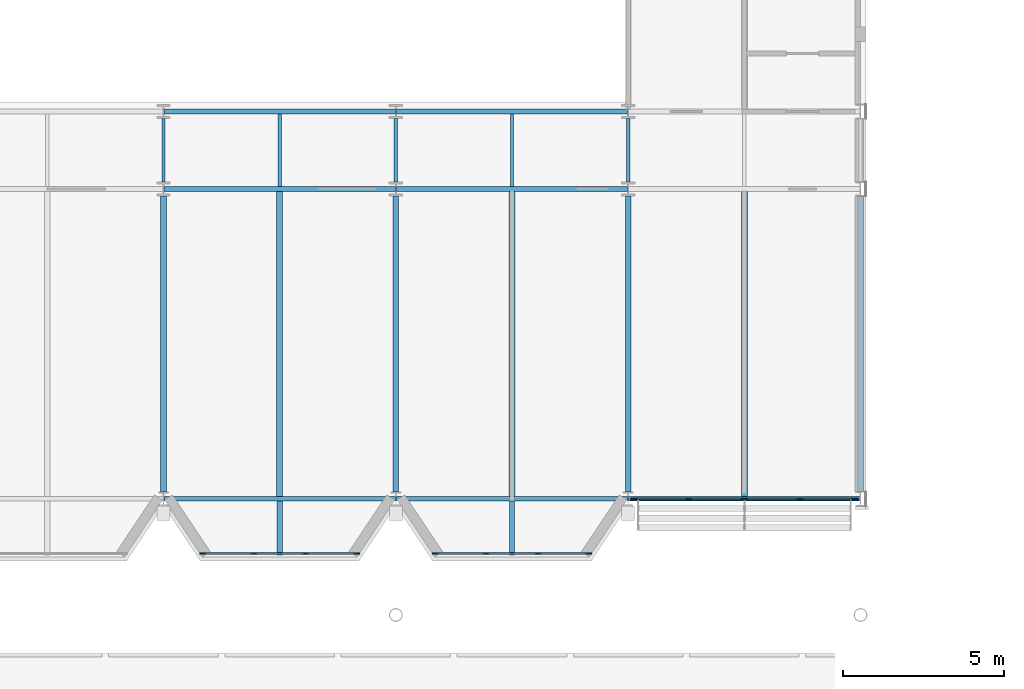
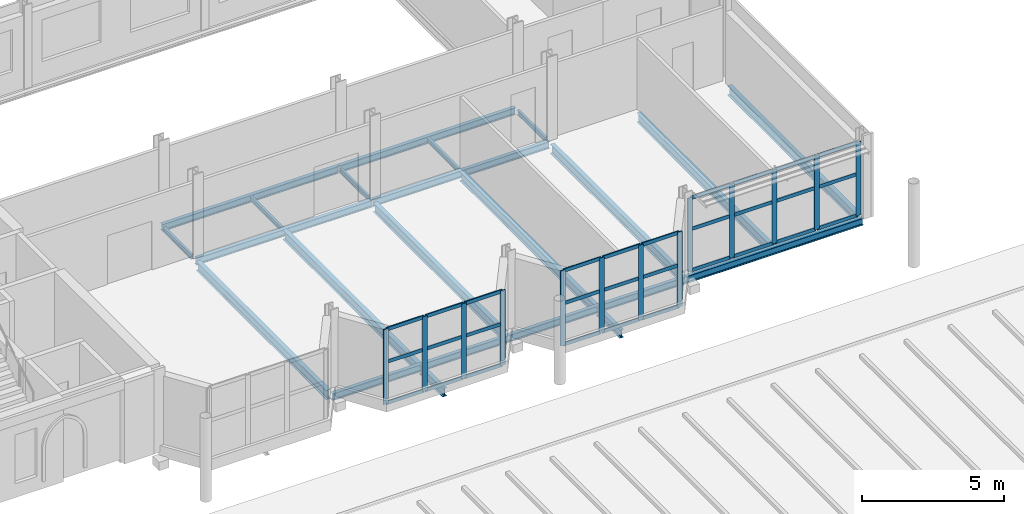
# One storey, part 38 of 120: 43 members, 21 beams, 3 elements without a shape of their own.
"""IFC4 building model written with IfcOpenShell, lengths in metres."""

from ifc_helpers import new_model, si_unit, direction, frame, origin, origin_2d, place, context, subcontext, project, spatial, rectangle, i_section, extrude, material, material_profile, profile_set, type_object, element, aggregate, save


model = new_model("IFC4")

# Units and contexts
model_context = context("Model", 3, precision=1e-05, world=origin(), true_north=direction((0.0, 1.0)))
body_context = subcontext(model_context, "Body", "Model", "MODEL_VIEW")
ifc_project = project(units=[si_unit("LENGTHUNIT", "METRE"), si_unit("AREAUNIT", "SQUARE_METRE"), si_unit("VOLUMEUNIT", "CUBIC_METRE"), si_unit("PLANEANGLEUNIT", "RADIAN"), si_unit("MASSUNIT", "GRAM", prefix="KILO")], contexts=[model_context])

# Site, building, storey
site_placement = place(None, origin())
site = spatial("IfcSite", under=ifc_project, at=site_placement, CompositionType="ELEMENT")
building_placement = place(site_placement, origin())
building = spatial("IfcBuilding", under=site, at=building_placement, Name="Kupolbacken Congress Centre", CompositionType="ELEMENT")
storey_placement = place(building_placement, frame((0.0, 0.0, 21.60009765625)))
storey = spatial("IfcBuildingStorey", under=building, at=storey_placement, Name="L06", CompositionType="ELEMENT", Elevation=21.60009765625)

# Beams
ifc_material_1 = material(Name="Steel S355", Category="steel")
ifc_material_profile_1 = material_profile(ifc_material_1, i_section(OverallWidth=0.10009765625, OverallDepth=0.199951171875, WebThickness=0.005615234375, FlangeThickness=0.008544921875, FilletRadius=0.011962890625, at=origin_2d()), Name="IPE 200")
ifc_profile_set_1 = profile_set([ifc_material_profile_1], Name="Steel S355")
beam_type_1 = type_object("IfcBeamType", Name="B01 beam IPE 200", PredefinedType="BEAM", material=ifc_profile_set_1)
beam_1_placement = place(storey_placement, frame((115.199951171875, 132.21240234375, -0.239990234375), z_axis=(0.0, 1.0, 0.0), x_axis=(-1.0, 0.0, 0.0)))
element("IfcBeam", 1, at=beam_1_placement, inside=storey, type_object=beam_type_1, Name="S/floor/T/L06/S060", PredefinedType="BEAM", context=body_context, shape_type="SweptSolid", body=[
    extrude(i_section(OverallWidth=0.10009765625, OverallDepth=0.199951171875, WebThickness=0.005615234375, FlangeThickness=0.008544921875, FilletRadius=0.011962890625, at=origin_2d()), origin(), (0.0, 0.0, 1.0), 1.97509765625),
])
beam_2_placement = place(storey_placement, frame((118.800048828125, 132.074951171875, -0.239990234375), z_axis=(0.0, 1.0, 0.0), x_axis=(-1.0, 0.0, 0.0)))
element("IfcBeam", 2, at=beam_2_placement, inside=storey, type_object=beam_type_1, Name="S/floor/T/L06/S062", PredefinedType="BEAM", context=body_context, shape_type="SweptSolid", body=[
    extrude(i_section(OverallWidth=0.10009765625, OverallDepth=0.199951171875, WebThickness=0.005615234375, FlangeThickness=0.008544921875, FilletRadius=0.011962890625, at=origin_2d()), origin(), (0.0, 0.0, 1.0), 2.25),
])
beam_3_placement = place(storey_placement, frame((122.39990234375, 132.21240234375, -0.239990234375), z_axis=(0.0, 1.0, 0.0), x_axis=(-1.0, 0.0, 0.0)))
element("IfcBeam", 3, at=beam_3_placement, inside=storey, type_object=beam_type_1, Name="S/floor/T/L06/S064", PredefinedType="BEAM", context=body_context, shape_type="SweptSolid", body=[
    extrude(i_section(OverallWidth=0.10009765625, OverallDepth=0.199951171875, WebThickness=0.005615234375, FlangeThickness=0.008544921875, FilletRadius=0.011962890625, at=origin_2d()), origin(), (0.0, 0.0, 1.0), 1.97509765625),
])
beam_4_placement = place(storey_placement, frame((126.0, 132.074951171875, -0.239990234375), z_axis=(0.0, 1.0, 0.0), x_axis=(-1.0, 0.0, 0.0)))
element("IfcBeam", 4, at=beam_4_placement, inside=storey, type_object=beam_type_1, Name="S/floor/T/L06/S066", PredefinedType="BEAM", context=body_context, shape_type="SweptSolid", body=[
    extrude(i_section(OverallWidth=0.10009765625, OverallDepth=0.199951171875, WebThickness=0.005615234375, FlangeThickness=0.008544921875, FilletRadius=0.011962890625, at=origin_2d()), origin(), (0.0, 0.0, 1.0), 2.25),
])
beam_5_placement = place(storey_placement, frame((129.60009765625, 132.21240234375, -0.239990234375), z_axis=(0.0, 1.0, 0.0), x_axis=(-1.0, 0.0, 0.0)))
element("IfcBeam", 5, at=beam_5_placement, inside=storey, type_object=beam_type_1, Name="S/floor/T/L06/S068", PredefinedType="BEAM", context=body_context, shape_type="SweptSolid", body=[
    extrude(i_section(OverallWidth=0.10009765625, OverallDepth=0.199951171875, WebThickness=0.005615234375, FlangeThickness=0.008544921875, FilletRadius=0.011962890625, at=origin_2d()), origin(), (0.0, 0.0, 1.0), 1.97509765625),
])
ifc_material_2 = material(Name="Steel S355", Category="steel")
ifc_material_profile_2 = material_profile(ifc_material_2, i_section(OverallWidth=0.14990234375, OverallDepth=0.300048828125, WebThickness=0.007080078125, FlangeThickness=0.0107421875, FilletRadius=0.014892578125, at=origin_2d()), Name="IPE 300")
ifc_profile_set_2 = profile_set([ifc_material_profile_2], Name="Steel S355")
beam_type_2 = type_object("IfcBeamType", Name="B04 beam IPE 300", PredefinedType="BEAM", material=ifc_profile_set_2)
beam_6_placement = place(storey_placement, frame((115.21044921875, 122.39990234375, -0.2900390625), z_axis=(1.0, 0.0, 0.0), x_axis=(0.0, 1.0, 0.0)))
element("IfcBeam", 6, at=beam_6_placement, inside=storey, type_object=beam_type_2, Name="S/floor/T/L06/R006", PredefinedType="BEAM", context=body_context, shape_type="SweptSolid", body=[
    extrude(i_section(OverallWidth=0.14990234375, OverallDepth=0.300048828125, WebThickness=0.007080078125, FlangeThickness=0.0107421875, FilletRadius=0.014892578125, at=origin_2d()), origin(), (0.0, 0.0, 1.0), 7.178955078125),
])
beam_7_placement = place(storey_placement, frame((122.410400390625, 122.39990234375, -0.2900390625), z_axis=(1.0, 0.0, 0.0), x_axis=(0.0, 1.0, 0.0)))
element("IfcBeam", 7, at=beam_7_placement, inside=storey, type_object=beam_type_2, Name="S/floor/T/L06/R007", PredefinedType="BEAM", context=body_context, shape_type="SweptSolid", body=[
    extrude(i_section(OverallWidth=0.14990234375, OverallDepth=0.300048828125, WebThickness=0.007080078125, FlangeThickness=0.0107421875, FilletRadius=0.014892578125, at=origin_2d()), origin(), (0.0, 0.0, 1.0), 7.17919921875),
])
beam_8_placement = place(storey_placement, frame((129.610595703125, 122.39990234375, -0.2900390625), z_axis=(1.0, 0.0, 0.0), x_axis=(0.0, 1.0, 0.0)))
element("IfcBeam", 8, at=beam_8_placement, inside=storey, type_object=beam_type_2, Name="S/floor/T/L06/R008", PredefinedType="BEAM", context=body_context, shape_type="SweptSolid", body=[
    extrude(i_section(OverallWidth=0.14990234375, OverallDepth=0.300048828125, WebThickness=0.007080078125, FlangeThickness=0.0107421875, FilletRadius=0.014892578125, at=origin_2d()), origin(), (0.0, 0.0, 1.0), 7.182373046875),
])
beam_9_placement = place(storey_placement, frame((115.21630859375, 132.0, -0.2900390625), z_axis=(1.0, 0.0, 0.0), x_axis=(0.0, 1.0, 0.0)))
element("IfcBeam", 9, at=beam_9_placement, inside=storey, type_object=beam_type_2, Name="S/floor/T/L06/R014", PredefinedType="BEAM", context=body_context, shape_type="SweptSolid", body=[
    extrude(i_section(OverallWidth=0.14990234375, OverallDepth=0.300048828125, WebThickness=0.007080078125, FlangeThickness=0.0107421875, FilletRadius=0.014892578125, at=origin_2d()), origin(), (0.0, 0.0, 1.0), 7.167236328125),
])
beam_10_placement = place(storey_placement, frame((122.41650390625, 132.0, -0.2900390625), z_axis=(1.0, 0.0, 0.0), x_axis=(0.0, 1.0, 0.0)))
element("IfcBeam", 10, at=beam_10_placement, inside=storey, type_object=beam_type_2, Name="S/floor/T/L06/R015", PredefinedType="BEAM", context=body_context, shape_type="SweptSolid", body=[
    extrude(i_section(OverallWidth=0.14990234375, OverallDepth=0.300048828125, WebThickness=0.007080078125, FlangeThickness=0.0107421875, FilletRadius=0.014892578125, at=origin_2d()), origin(), (0.0, 0.0, 1.0), 7.1669921875),
])
beam_11_placement = place(storey_placement, frame((115.21630859375, 134.39990234375, -0.2900390625), z_axis=(1.0, 0.0, 0.0), x_axis=(0.0, 1.0, 0.0)))
element("IfcBeam", 11, at=beam_11_placement, inside=storey, type_object=beam_type_2, Name="S/floor/T/L06/R022", PredefinedType="BEAM", context=body_context, shape_type="SweptSolid", body=[
    extrude(i_section(OverallWidth=0.14990234375, OverallDepth=0.300048828125, WebThickness=0.007080078125, FlangeThickness=0.0107421875, FilletRadius=0.014892578125, at=origin_2d()), origin(), (0.0, 0.0, 1.0), 7.167236328125),
])
beam_12_placement = place(storey_placement, frame((122.41650390625, 134.39990234375, -0.2900390625), z_axis=(1.0, 0.0, 0.0), x_axis=(0.0, 1.0, 0.0)))
element("IfcBeam", 12, at=beam_12_placement, inside=storey, type_object=beam_type_2, Name="S/floor/T/L06/R023", PredefinedType="BEAM", context=body_context, shape_type="SweptSolid", body=[
    extrude(i_section(OverallWidth=0.14990234375, OverallDepth=0.300048828125, WebThickness=0.007080078125, FlangeThickness=0.0107421875, FilletRadius=0.014892578125, at=origin_2d()), origin(), (0.0, 0.0, 1.0), 7.1669921875),
])
ifc_material_3 = material(Name="Steel S355", Category="steel")
ifc_material_profile_3 = material_profile(ifc_material_3, i_section(OverallWidth=0.169921875, OverallDepth=0.360107421875, WebThickness=0.008056640625, FlangeThickness=0.0126953125, FilletRadius=0.01806640625, at=origin_2d()), Name="IPE 360")
ifc_profile_set_3 = profile_set([ifc_material_profile_3], Name="Steel S355")
beam_type_3 = type_object("IfcBeamType", Name="B06 beam IPE 360", PredefinedType="BEAM", material=ifc_profile_set_3)
for number, where, z_axis, x_axis, name in (
    (13, (118.800048828125, 122.324951171875, -0.320068359375), (0.0, -1.0, 0.0), (1.0, 0.0, 0.0), "S/floor/T/L06/C086"),
    (14, (126.0, 122.324951171875, -0.320068359375), (0.0, -1.0, 0.0), (1.0, 0.0, 0.0), "S/floor/T/L06/C088"),
):
    element("IfcBeam", number, at=place(storey_placement, frame(where, z_axis=z_axis, x_axis=x_axis)), inside=storey, type_object=beam_type_3, Name=name, PredefinedType="BEAM", context=body_context, shape_type="SweptSolid", body=[
        extrude(i_section(OverallWidth=0.169921875, OverallDepth=0.360107421875, WebThickness=0.008056640625, FlangeThickness=0.0126953125, FilletRadius=0.01806640625, at=origin_2d()), origin(), (0.0, 0.0, 1.0), 1.6650390625),
    ])
ifc_material_4 = material(Name="Steel S355", Category="steel")
ifc_material_profile_4 = material_profile(ifc_material_4, i_section(OverallWidth=0.179931640625, OverallDepth=0.39990234375, WebThickness=0.008544921875, FlangeThickness=0.013427734375, FilletRadius=0.02099609375, at=origin_2d()), Name="IPE 400")
ifc_profile_set_4 = profile_set([ifc_material_profile_4], Name="Steel S355")
beam_type_4 = type_object("IfcBeamType", Name="B07 beam IPE 400", PredefinedType="BEAM", material=ifc_profile_set_4)
beam_13_placement = place(storey_placement, frame((115.199951171875, 122.615966796875, -0.340087890625), z_axis=(0.0, 1.0, 0.0), x_axis=(-1.0, 0.0, 0.0)))
element("IfcBeam", 15, at=beam_13_placement, inside=storey, type_object=beam_type_4, Name="S/floor/T/L06/S059", PredefinedType="BEAM", context=body_context, shape_type="SweptSolid", body=[
    extrude(i_section(OverallWidth=0.179931640625, OverallDepth=0.39990234375, WebThickness=0.008544921875, FlangeThickness=0.013427734375, FilletRadius=0.02099609375, at=origin_2d()), origin(), (0.0, 0.0, 1.0), 9.171630859375),
])
beam_14_placement = place(storey_placement, frame((118.800048828125, 122.47509765625, -0.340087890625), z_axis=(0.0, 1.0, 0.0), x_axis=(-1.0, 0.0, 0.0)))
element("IfcBeam", 16, at=beam_14_placement, inside=storey, type_object=beam_type_4, Name="S/floor/T/L06/S061", PredefinedType="BEAM", context=body_context, shape_type="SweptSolid", body=[
    extrude(i_section(OverallWidth=0.179931640625, OverallDepth=0.39990234375, WebThickness=0.008544921875, FlangeThickness=0.013427734375, FilletRadius=0.02099609375, at=origin_2d()), origin(), (0.0, 0.0, 1.0), 9.449951171875),
])
beam_15_placement = place(storey_placement, frame((122.39990234375, 122.615966796875, -0.340087890625), z_axis=(0.0, 1.0, 0.0), x_axis=(-1.0, 0.0, 0.0)))
element("IfcBeam", 17, at=beam_15_placement, inside=storey, type_object=beam_type_4, Name="S/floor/T/L06/S063", PredefinedType="BEAM", context=body_context, shape_type="SweptSolid", body=[
    extrude(i_section(OverallWidth=0.179931640625, OverallDepth=0.39990234375, WebThickness=0.008544921875, FlangeThickness=0.013427734375, FilletRadius=0.02099609375, at=origin_2d()), origin(), (0.0, 0.0, 1.0), 9.171630859375),
])
beam_16_placement = place(storey_placement, frame((126.0, 122.47509765625, -0.340087890625), z_axis=(0.0, 1.0, 0.0), x_axis=(-1.0, 0.0, 0.0)))
element("IfcBeam", 18, at=beam_16_placement, inside=storey, type_object=beam_type_4, Name="S/floor/T/L06/S065", PredefinedType="BEAM", context=body_context, shape_type="SweptSolid", body=[
    extrude(i_section(OverallWidth=0.179931640625, OverallDepth=0.39990234375, WebThickness=0.008544921875, FlangeThickness=0.013427734375, FilletRadius=0.02099609375, at=origin_2d()), origin(), (0.0, 0.0, 1.0), 9.449951171875),
])
beam_17_placement = place(storey_placement, frame((129.60009765625, 122.615966796875, -0.340087890625), z_axis=(0.0, 1.0, 0.0), x_axis=(-1.0, 0.0, 0.0)))
element("IfcBeam", 19, at=beam_17_placement, inside=storey, type_object=beam_type_4, Name="S/floor/T/L06/S067", PredefinedType="BEAM", context=body_context, shape_type="SweptSolid", body=[
    extrude(i_section(OverallWidth=0.179931640625, OverallDepth=0.39990234375, WebThickness=0.008544921875, FlangeThickness=0.013427734375, FilletRadius=0.02099609375, at=origin_2d()), origin(), (0.0, 0.0, 1.0), 9.171630859375),
])
beam_18_placement = place(storey_placement, frame((133.199951171875, 122.47509765625, -0.340087890625), z_axis=(0.0, 1.0, 0.0), x_axis=(-1.0, 0.0, 0.0)))
element("IfcBeam", 20, at=beam_18_placement, inside=storey, type_object=beam_type_4, Name="S/floor/T/L06/S070", PredefinedType="BEAM", context=body_context, shape_type="SweptSolid", body=[
    extrude(i_section(OverallWidth=0.179931640625, OverallDepth=0.39990234375, WebThickness=0.008544921875, FlangeThickness=0.013427734375, FilletRadius=0.02099609375, at=origin_2d()), origin(), (0.0, 0.0, 1.0), 9.449951171875),
])
beam_19_placement = place(storey_placement, frame((136.800048828125, 122.625, -0.340087890625), z_axis=(0.0, 1.0, 0.0), x_axis=(-1.0, 0.0, 0.0)))
element("IfcBeam", 21, at=beam_19_placement, inside=storey, type_object=beam_type_4, Name="S/floor/T/L06/S073", PredefinedType="BEAM", context=body_context, shape_type="SweptSolid", body=[
    extrude(i_section(OverallWidth=0.179931640625, OverallDepth=0.39990234375, WebThickness=0.008544921875, FlangeThickness=0.013427734375, FilletRadius=0.02099609375, at=origin_2d()), origin(), (0.0, 0.0, 1.0), 9.14990234375),
])

# Curtain wall, members
ifc_material_5 = material(Name="Aluminium mullion-transom frame with glass", Category="aluminium")
curtain_wall_type = type_object("IfcCurtainWallType", Name="CW1 curtain wall 7200x3600", PredefinedType="NOTDEFINED", material=ifc_material_5)
curtain_wall_1_placement = place(storey_placement, origin())
curtain_wall_1 = element("IfcCurtainWall", 22, at=curtain_wall_1_placement, inside=storey, type_object=curtain_wall_type, Name="E/T/S/L06/095/g0", PredefinedType="NOTDEFINED")
ifc_material_6 = material(Name="Aluminium alloy", Category="aluminium")
ifc_material_profile_5 = material_profile(ifc_material_6, rectangle(XDim=0.050048828125, YDim=0.199951171875, at=origin_2d()), Name="50 x 200")
ifc_profile_set_5 = profile_set([ifc_material_profile_5], Name="Aluminium alloy")
member_type_1 = type_object("IfcMemberType", Name="MU2 mullion 50x200", PredefinedType="MULLION", material=ifc_profile_set_5)
member_1_placement = place(storey_placement, frame((129.778564453125, 122.39990234375, 0.0), z_axis=(0.0, 0.0, 1.0), x_axis=(0.0, 1.0, 0.0)))
member_1 = element("IfcMember", 23, at=member_1_placement, type_object=member_type_1, Name="CW1 mullion 1", PredefinedType="MULLION", context=body_context, shape_type="SweptSolid", body=[
    extrude(rectangle(XDim=0.050048828125, YDim=0.199951171875, at=origin_2d()), origin(), (0.0, 0.0, 1.0), 3.159912109375),
])
member_2_placement = place(storey_placement, frame((131.4775390625, 122.39990234375, 0.0), z_axis=(0.0, 0.0, 1.0), x_axis=(0.0, 1.0, 0.0)))
member_2 = element("IfcMember", 24, at=member_2_placement, type_object=member_type_1, Name="CW1 mullion 2", PredefinedType="MULLION", context=body_context, shape_type="SweptSolid", body=[
    extrude(rectangle(XDim=0.050048828125, YDim=0.199951171875, at=origin_2d()), origin(), (0.0, 0.0, 1.0), 3.159912109375),
])
member_3_placement = place(storey_placement, frame((133.20166015625, 122.39990234375, 0.0), z_axis=(0.0, 0.0, 1.0), x_axis=(0.0, 1.0, 0.0)))
member_3 = element("IfcMember", 25, at=member_3_placement, type_object=member_type_1, Name="CW1 mullion 3", PredefinedType="MULLION", context=body_context, shape_type="SweptSolid", body=[
    extrude(rectangle(XDim=0.050048828125, YDim=0.199951171875, at=origin_2d()), origin(), (0.0, 0.0, 1.0), 3.159912109375),
])
member_4_placement = place(storey_placement, frame((134.92578125, 122.39990234375, 0.0), z_axis=(0.0, 0.0, 1.0), x_axis=(0.0, 1.0, 0.0)))
member_4 = element("IfcMember", 26, at=member_4_placement, type_object=member_type_1, Name="CW1 mullion 4", PredefinedType="MULLION", context=body_context, shape_type="SweptSolid", body=[
    extrude(rectangle(XDim=0.050048828125, YDim=0.199951171875, at=origin_2d()), origin(), (0.0, 0.0, 1.0), 3.159912109375),
])
member_5_placement = place(storey_placement, frame((136.625, 122.39990234375, 0.0), z_axis=(0.0, 0.0, 1.0), x_axis=(0.0, 1.0, 0.0)))
member_5 = element("IfcMember", 27, at=member_5_placement, type_object=member_type_1, Name="CW1 mullion 5", PredefinedType="MULLION", context=body_context, shape_type="SweptSolid", body=[
    extrude(rectangle(XDim=0.050048828125, YDim=0.199951171875, at=origin_2d()), origin(), (0.0, 0.0, 1.0), 3.159912109375),
])

curtain_wall_2_placement = place(storey_placement, origin())
curtain_wall_2 = element("IfcCurtainWall", 28, at=curtain_wall_2_placement, inside=storey, type_object=curtain_wall_type, Name="E/T/cumba/L06/S/018/cw", PredefinedType="NOTDEFINED")
member_6_placement = place(storey_placement, frame((116.425048828125, 120.699951171875, 0.0), z_axis=(0.0, 0.0, 1.0), x_axis=(0.0, 1.0, 0.0)))
member_6 = element("IfcMember", 29, at=member_6_placement, type_object=member_type_1, Name="CW1 mullion 1", PredefinedType="MULLION", context=body_context, shape_type="SweptSolid", body=[
    extrude(rectangle(XDim=0.050048828125, YDim=0.199951171875, at=origin_2d()), origin(), (0.0, 0.0, 1.0), 3.219970703125),
])
member_7_placement = place(storey_placement, frame((118.0, 120.699951171875, 0.0), z_axis=(0.0, 0.0, 1.0), x_axis=(0.0, 1.0, 0.0)))
member_7 = element("IfcMember", 30, at=member_7_placement, type_object=member_type_1, Name="CW1 mullion 2", PredefinedType="MULLION", context=body_context, shape_type="SweptSolid", body=[
    extrude(rectangle(XDim=0.050048828125, YDim=0.199951171875, at=origin_2d()), origin(), (0.0, 0.0, 1.0), 3.219970703125),
])
member_8_placement = place(storey_placement, frame((119.60009765625, 120.699951171875, 0.0), z_axis=(0.0, 0.0, 1.0), x_axis=(0.0, 1.0, 0.0)))
member_8 = element("IfcMember", 31, at=member_8_placement, type_object=member_type_1, Name="CW1 mullion 3", PredefinedType="MULLION", context=body_context, shape_type="SweptSolid", body=[
    extrude(rectangle(XDim=0.050048828125, YDim=0.199951171875, at=origin_2d()), origin(), (0.0, 0.0, 1.0), 3.219970703125),
])
member_9_placement = place(storey_placement, frame((121.175048828125, 120.699951171875, 0.0), z_axis=(0.0, 0.0, 1.0), x_axis=(0.0, 1.0, 0.0)))
member_9 = element("IfcMember", 32, at=member_9_placement, type_object=member_type_1, Name="CW1 mullion 4", PredefinedType="MULLION", context=body_context, shape_type="SweptSolid", body=[
    extrude(rectangle(XDim=0.050048828125, YDim=0.199951171875, at=origin_2d()), origin(), (0.0, 0.0, 1.0), 3.219970703125),
])

curtain_wall_3_placement = place(storey_placement, origin())
curtain_wall_3 = element("IfcCurtainWall", 33, at=curtain_wall_3_placement, inside=storey, type_object=curtain_wall_type, Name="E/T/cumba/L06/S/022/cw", PredefinedType="NOTDEFINED")
member_10_placement = place(storey_placement, frame((123.625, 120.699951171875, 0.0), z_axis=(0.0, 0.0, 1.0), x_axis=(0.0, 1.0, 0.0)))
member_10 = element("IfcMember", 34, at=member_10_placement, type_object=member_type_1, Name="CW1 mullion 1", PredefinedType="MULLION", context=body_context, shape_type="SweptSolid", body=[
    extrude(rectangle(XDim=0.050048828125, YDim=0.199951171875, at=origin_2d()), origin(), (0.0, 0.0, 1.0), 3.219970703125),
])
member_11_placement = place(storey_placement, frame((125.199951171875, 120.699951171875, 0.0), z_axis=(0.0, 0.0, 1.0), x_axis=(0.0, 1.0, 0.0)))
member_11 = element("IfcMember", 35, at=member_11_placement, type_object=member_type_1, Name="CW1 mullion 2", PredefinedType="MULLION", context=body_context, shape_type="SweptSolid", body=[
    extrude(rectangle(XDim=0.050048828125, YDim=0.199951171875, at=origin_2d()), origin(), (0.0, 0.0, 1.0), 3.219970703125),
])
member_12_placement = place(storey_placement, frame((126.800048828125, 120.699951171875, 0.0), z_axis=(0.0, 0.0, 1.0), x_axis=(0.0, 1.0, 0.0)))
member_12 = element("IfcMember", 36, at=member_12_placement, type_object=member_type_1, Name="CW1 mullion 3", PredefinedType="MULLION", context=body_context, shape_type="SweptSolid", body=[
    extrude(rectangle(XDim=0.050048828125, YDim=0.199951171875, at=origin_2d()), origin(), (0.0, 0.0, 1.0), 3.219970703125),
])
member_13_placement = place(storey_placement, frame((128.375, 120.699951171875, 0.0), z_axis=(0.0, 0.0, 1.0), x_axis=(0.0, 1.0, 0.0)))
member_13 = element("IfcMember", 37, at=member_13_placement, type_object=member_type_1, Name="CW1 mullion 4", PredefinedType="MULLION", context=body_context, shape_type="SweptSolid", body=[
    extrude(rectangle(XDim=0.050048828125, YDim=0.199951171875, at=origin_2d()), origin(), (0.0, 0.0, 1.0), 3.219970703125),
])

# Member
ifc_material_7 = material(Name="Aluminium alloy", Category="aluminium")
ifc_material_profile_6 = material_profile(ifc_material_7, rectangle(XDim=0.050048828125, YDim=0.14990234375, at=origin_2d()), Name="50 x 150")
ifc_profile_set_6 = profile_set([ifc_material_profile_6], Name="Aluminium alloy")
member_type_2 = type_object("IfcMemberType", Name="TR2 transom 50x150", PredefinedType="MULLION", material=ifc_profile_set_6)
member_14_placement = place(storey_placement, frame((129.803466796875, 122.39990234375, 0.02490234375), z_axis=(1.0, 0.0, 0.0), x_axis=(0.0, 1.0, 0.0)))
member_14 = element("IfcMember", 38, at=member_14_placement, type_object=member_type_2, Name="CW1 transom 1.1", PredefinedType="MULLION", context=body_context, shape_type="SweptSolid", body=[
    extrude(rectangle(XDim=0.050048828125, YDim=0.14990234375, at=origin_2d()), origin(), (0.0, 0.0, 1.0), 1.649169921875),
])

member_15_placement = place(storey_placement, frame((129.803466796875, 122.39990234375, 1.7998046875), z_axis=(1.0, 0.0, 0.0), x_axis=(0.0, 1.0, 0.0)))
member_15 = element("IfcMember", 39, at=member_15_placement, type_object=member_type_2, Name="CW1 transom 1.2", PredefinedType="MULLION", context=body_context, shape_type="SweptSolid", body=[
    extrude(rectangle(XDim=0.050048828125, YDim=0.14990234375, at=origin_2d()), origin(), (0.0, 0.0, 1.0), 1.649169921875),
])

member_16_placement = place(storey_placement, frame((129.803466796875, 122.39990234375, 3.135009765625), z_axis=(1.0, 0.0, 0.0), x_axis=(0.0, 1.0, 0.0)))
member_16 = element("IfcMember", 40, at=member_16_placement, type_object=member_type_2, Name="CW1 transom 1.3", PredefinedType="MULLION", context=body_context, shape_type="SweptSolid", body=[
    extrude(rectangle(XDim=0.050048828125, YDim=0.14990234375, at=origin_2d()), origin(), (0.0, 0.0, 1.0), 1.649169921875),
])

member_17_placement = place(storey_placement, frame((131.502685546875, 122.39990234375, 0.02490234375), z_axis=(1.0, 0.0, 0.0), x_axis=(0.0, 1.0, 0.0)))
member_17 = element("IfcMember", 41, at=member_17_placement, type_object=member_type_2, Name="CW1 transom 2.1", PredefinedType="MULLION", context=body_context, shape_type="SweptSolid", body=[
    extrude(rectangle(XDim=0.050048828125, YDim=0.14990234375, at=origin_2d()), origin(), (0.0, 0.0, 1.0), 1.674072265625),
])

member_18_placement = place(storey_placement, frame((131.502685546875, 122.39990234375, 1.7998046875), z_axis=(1.0, 0.0, 0.0), x_axis=(0.0, 1.0, 0.0)))
member_18 = element("IfcMember", 42, at=member_18_placement, type_object=member_type_2, Name="CW1 transom 2.2", PredefinedType="MULLION", context=body_context, shape_type="SweptSolid", body=[
    extrude(rectangle(XDim=0.050048828125, YDim=0.14990234375, at=origin_2d()), origin(), (0.0, 0.0, 1.0), 1.674072265625),
])

member_19_placement = place(storey_placement, frame((131.502685546875, 122.39990234375, 3.135009765625), z_axis=(1.0, 0.0, 0.0), x_axis=(0.0, 1.0, 0.0)))
member_19 = element("IfcMember", 43, at=member_19_placement, type_object=member_type_2, Name="CW1 transom 2.3", PredefinedType="MULLION", context=body_context, shape_type="SweptSolid", body=[
    extrude(rectangle(XDim=0.050048828125, YDim=0.14990234375, at=origin_2d()), origin(), (0.0, 0.0, 1.0), 1.674072265625),
])

member_20_placement = place(storey_placement, frame((133.226806640625, 122.39990234375, 0.02490234375), z_axis=(1.0, 0.0, 0.0), x_axis=(0.0, 1.0, 0.0)))
member_20 = element("IfcMember", 44, at=member_20_placement, type_object=member_type_2, Name="CW1 transom 3.1", PredefinedType="MULLION", context=body_context, shape_type="SweptSolid", body=[
    extrude(rectangle(XDim=0.050048828125, YDim=0.14990234375, at=origin_2d()), origin(), (0.0, 0.0, 1.0), 1.674072265625),
])

member_21_placement = place(storey_placement, frame((133.226806640625, 122.39990234375, 1.7998046875), z_axis=(1.0, 0.0, 0.0), x_axis=(0.0, 1.0, 0.0)))
member_21 = element("IfcMember", 45, at=member_21_placement, type_object=member_type_2, Name="CW1 transom 3.2", PredefinedType="MULLION", context=body_context, shape_type="SweptSolid", body=[
    extrude(rectangle(XDim=0.050048828125, YDim=0.14990234375, at=origin_2d()), origin(), (0.0, 0.0, 1.0), 1.674072265625),
])

member_22_placement = place(storey_placement, frame((133.226806640625, 122.39990234375, 3.135009765625), z_axis=(1.0, 0.0, 0.0), x_axis=(0.0, 1.0, 0.0)))
member_22 = element("IfcMember", 46, at=member_22_placement, type_object=member_type_2, Name="CW1 transom 3.3", PredefinedType="MULLION", context=body_context, shape_type="SweptSolid", body=[
    extrude(rectangle(XDim=0.050048828125, YDim=0.14990234375, at=origin_2d()), origin(), (0.0, 0.0, 1.0), 1.674072265625),
])

member_23_placement = place(storey_placement, frame((134.950927734375, 122.39990234375, 0.02490234375), z_axis=(1.0, 0.0, 0.0), x_axis=(0.0, 1.0, 0.0)))
member_23 = element("IfcMember", 47, at=member_23_placement, type_object=member_type_2, Name="CW1 transom 4.1", PredefinedType="MULLION", context=body_context, shape_type="SweptSolid", body=[
    extrude(rectangle(XDim=0.050048828125, YDim=0.14990234375, at=origin_2d()), origin(), (0.0, 0.0, 1.0), 1.649169921875),
])

member_24_placement = place(storey_placement, frame((134.950927734375, 122.39990234375, 1.7998046875), z_axis=(1.0, 0.0, 0.0), x_axis=(0.0, 1.0, 0.0)))
member_24 = element("IfcMember", 48, at=member_24_placement, type_object=member_type_2, Name="CW1 transom 4.2", PredefinedType="MULLION", context=body_context, shape_type="SweptSolid", body=[
    extrude(rectangle(XDim=0.050048828125, YDim=0.14990234375, at=origin_2d()), origin(), (0.0, 0.0, 1.0), 1.649169921875),
])

member_25_placement = place(storey_placement, frame((134.950927734375, 122.39990234375, 3.135009765625), z_axis=(1.0, 0.0, 0.0), x_axis=(0.0, 1.0, 0.0)))
member_25 = element("IfcMember", 49, at=member_25_placement, type_object=member_type_2, Name="CW1 transom 4.3", PredefinedType="MULLION", context=body_context, shape_type="SweptSolid", body=[
    extrude(rectangle(XDim=0.050048828125, YDim=0.14990234375, at=origin_2d()), origin(), (0.0, 0.0, 1.0), 1.649169921875),
])

aggregate(curtain_wall_1, [member_1, member_2, member_3, member_4, member_5, member_14, member_15, member_16, member_17, member_18, member_19, member_20, member_21, member_22, member_23, member_24, member_25])

member_26_placement = place(storey_placement, frame((116.449951171875, 120.699951171875, 0.02490234375), z_axis=(1.0, 0.0, 0.0), x_axis=(0.0, 1.0, 0.0)))
member_26 = element("IfcMember", 50, at=member_26_placement, type_object=member_type_2, Name="CW1 transom 1.1", PredefinedType="MULLION", context=body_context, shape_type="SweptSolid", body=[
    extrude(rectangle(XDim=0.050048828125, YDim=0.14990234375, at=origin_2d()), origin(), (0.0, 0.0, 1.0), 1.525146484375),
])

member_27_placement = place(storey_placement, frame((116.449951171875, 120.699951171875, 1.7998046875), z_axis=(1.0, 0.0, 0.0), x_axis=(0.0, 1.0, 0.0)))
member_27 = element("IfcMember", 51, at=member_27_placement, type_object=member_type_2, Name="CW1 transom 1.2", PredefinedType="MULLION", context=body_context, shape_type="SweptSolid", body=[
    extrude(rectangle(XDim=0.050048828125, YDim=0.14990234375, at=origin_2d()), origin(), (0.0, 0.0, 1.0), 1.525146484375),
])

member_28_placement = place(storey_placement, frame((116.449951171875, 120.699951171875, 3.19482421875), z_axis=(1.0, 0.0, 0.0), x_axis=(0.0, 1.0, 0.0)))
member_28 = element("IfcMember", 52, at=member_28_placement, type_object=member_type_2, Name="CW1 transom 1.3", PredefinedType="MULLION", context=body_context, shape_type="SweptSolid", body=[
    extrude(rectangle(XDim=0.050048828125, YDim=0.14990234375, at=origin_2d()), origin(), (0.0, 0.0, 1.0), 1.525146484375),
])

member_29_placement = place(storey_placement, frame((118.02490234375, 120.699951171875, 0.02490234375), z_axis=(1.0, 0.0, 0.0), x_axis=(0.0, 1.0, 0.0)))
member_29 = element("IfcMember", 53, at=member_29_placement, type_object=member_type_2, Name="CW1 transom 2.1", PredefinedType="MULLION", context=body_context, shape_type="SweptSolid", body=[
    extrude(rectangle(XDim=0.050048828125, YDim=0.14990234375, at=origin_2d()), origin(), (0.0, 0.0, 1.0), 1.550048828125),
])

member_30_placement = place(storey_placement, frame((118.02490234375, 120.699951171875, 1.7998046875), z_axis=(1.0, 0.0, 0.0), x_axis=(0.0, 1.0, 0.0)))
member_30 = element("IfcMember", 54, at=member_30_placement, type_object=member_type_2, Name="CW1 transom 2.2", PredefinedType="MULLION", context=body_context, shape_type="SweptSolid", body=[
    extrude(rectangle(XDim=0.050048828125, YDim=0.14990234375, at=origin_2d()), origin(), (0.0, 0.0, 1.0), 1.550048828125),
])

member_31_placement = place(storey_placement, frame((118.02490234375, 120.699951171875, 3.19482421875), z_axis=(1.0, 0.0, 0.0), x_axis=(0.0, 1.0, 0.0)))
member_31 = element("IfcMember", 55, at=member_31_placement, type_object=member_type_2, Name="CW1 transom 2.3", PredefinedType="MULLION", context=body_context, shape_type="SweptSolid", body=[
    extrude(rectangle(XDim=0.050048828125, YDim=0.14990234375, at=origin_2d()), origin(), (0.0, 0.0, 1.0), 1.550048828125),
])

member_32_placement = place(storey_placement, frame((119.625, 120.699951171875, 0.02490234375), z_axis=(1.0, 0.0, 0.0), x_axis=(0.0, 1.0, 0.0)))
member_32 = element("IfcMember", 56, at=member_32_placement, type_object=member_type_2, Name="CW1 transom 3.1", PredefinedType="MULLION", context=body_context, shape_type="SweptSolid", body=[
    extrude(rectangle(XDim=0.050048828125, YDim=0.14990234375, at=origin_2d()), origin(), (0.0, 0.0, 1.0), 1.52490234375),
])

member_33_placement = place(storey_placement, frame((119.625, 120.699951171875, 1.7998046875), z_axis=(1.0, 0.0, 0.0), x_axis=(0.0, 1.0, 0.0)))
member_33 = element("IfcMember", 57, at=member_33_placement, type_object=member_type_2, Name="CW1 transom 3.2", PredefinedType="MULLION", context=body_context, shape_type="SweptSolid", body=[
    extrude(rectangle(XDim=0.050048828125, YDim=0.14990234375, at=origin_2d()), origin(), (0.0, 0.0, 1.0), 1.52490234375),
])

member_34_placement = place(storey_placement, frame((119.625, 120.699951171875, 3.19482421875), z_axis=(1.0, 0.0, 0.0), x_axis=(0.0, 1.0, 0.0)))
member_34 = element("IfcMember", 58, at=member_34_placement, type_object=member_type_2, Name="CW1 transom 3.3", PredefinedType="MULLION", context=body_context, shape_type="SweptSolid", body=[
    extrude(rectangle(XDim=0.050048828125, YDim=0.14990234375, at=origin_2d()), origin(), (0.0, 0.0, 1.0), 1.52490234375),
])

aggregate(curtain_wall_2, [member_6, member_7, member_8, member_9, member_26, member_27, member_28, member_29, member_30, member_31, member_32, member_33, member_34])

member_35_placement = place(storey_placement, frame((123.64990234375, 120.699951171875, 0.02490234375), z_axis=(1.0, 0.0, 0.0), x_axis=(0.0, 1.0, 0.0)))
member_35 = element("IfcMember", 59, at=member_35_placement, type_object=member_type_2, Name="CW1 transom 1.1", PredefinedType="MULLION", context=body_context, shape_type="SweptSolid", body=[
    extrude(rectangle(XDim=0.050048828125, YDim=0.14990234375, at=origin_2d()), origin(), (0.0, 0.0, 1.0), 1.525146484375),
])

member_36_placement = place(storey_placement, frame((123.64990234375, 120.699951171875, 1.7998046875), z_axis=(1.0, 0.0, 0.0), x_axis=(0.0, 1.0, 0.0)))
member_36 = element("IfcMember", 60, at=member_36_placement, type_object=member_type_2, Name="CW1 transom 1.2", PredefinedType="MULLION", context=body_context, shape_type="SweptSolid", body=[
    extrude(rectangle(XDim=0.050048828125, YDim=0.14990234375, at=origin_2d()), origin(), (0.0, 0.0, 1.0), 1.525146484375),
])

member_37_placement = place(storey_placement, frame((123.64990234375, 120.699951171875, 3.19482421875), z_axis=(1.0, 0.0, 0.0), x_axis=(0.0, 1.0, 0.0)))
member_37 = element("IfcMember", 61, at=member_37_placement, type_object=member_type_2, Name="CW1 transom 1.3", PredefinedType="MULLION", context=body_context, shape_type="SweptSolid", body=[
    extrude(rectangle(XDim=0.050048828125, YDim=0.14990234375, at=origin_2d()), origin(), (0.0, 0.0, 1.0), 1.525146484375),
])

member_38_placement = place(storey_placement, frame((125.22509765625, 120.699951171875, 0.02490234375), z_axis=(1.0, 0.0, 0.0), x_axis=(0.0, 1.0, 0.0)))
member_38 = element("IfcMember", 62, at=member_38_placement, type_object=member_type_2, Name="CW1 transom 2.1", PredefinedType="MULLION", context=body_context, shape_type="SweptSolid", body=[
    extrude(rectangle(XDim=0.050048828125, YDim=0.14990234375, at=origin_2d()), origin(), (0.0, 0.0, 1.0), 1.5498046875),
])

member_39_placement = place(storey_placement, frame((125.22509765625, 120.699951171875, 1.7998046875), z_axis=(1.0, 0.0, 0.0), x_axis=(0.0, 1.0, 0.0)))
member_39 = element("IfcMember", 63, at=member_39_placement, type_object=member_type_2, Name="CW1 transom 2.2", PredefinedType="MULLION", context=body_context, shape_type="SweptSolid", body=[
    extrude(rectangle(XDim=0.050048828125, YDim=0.14990234375, at=origin_2d()), origin(), (0.0, 0.0, 1.0), 1.5498046875),
])

member_40_placement = place(storey_placement, frame((125.22509765625, 120.699951171875, 3.19482421875), z_axis=(1.0, 0.0, 0.0), x_axis=(0.0, 1.0, 0.0)))
member_40 = element("IfcMember", 64, at=member_40_placement, type_object=member_type_2, Name="CW1 transom 2.3", PredefinedType="MULLION", context=body_context, shape_type="SweptSolid", body=[
    extrude(rectangle(XDim=0.050048828125, YDim=0.14990234375, at=origin_2d()), origin(), (0.0, 0.0, 1.0), 1.5498046875),
])

member_41_placement = place(storey_placement, frame((126.824951171875, 120.699951171875, 0.02490234375), z_axis=(1.0, 0.0, 0.0), x_axis=(0.0, 1.0, 0.0)))
member_41 = element("IfcMember", 65, at=member_41_placement, type_object=member_type_2, Name="CW1 transom 3.1", PredefinedType="MULLION", context=body_context, shape_type="SweptSolid", body=[
    extrude(rectangle(XDim=0.050048828125, YDim=0.14990234375, at=origin_2d()), origin(), (0.0, 0.0, 1.0), 1.525146484375),
])

member_42_placement = place(storey_placement, frame((126.824951171875, 120.699951171875, 1.7998046875), z_axis=(1.0, 0.0, 0.0), x_axis=(0.0, 1.0, 0.0)))
member_42 = element("IfcMember", 66, at=member_42_placement, type_object=member_type_2, Name="CW1 transom 3.2", PredefinedType="MULLION", context=body_context, shape_type="SweptSolid", body=[
    extrude(rectangle(XDim=0.050048828125, YDim=0.14990234375, at=origin_2d()), origin(), (0.0, 0.0, 1.0), 1.525146484375),
])

member_43_placement = place(storey_placement, frame((126.824951171875, 120.699951171875, 3.19482421875), z_axis=(1.0, 0.0, 0.0), x_axis=(0.0, 1.0, 0.0)))
member_43 = element("IfcMember", 67, at=member_43_placement, type_object=member_type_2, Name="CW1 transom 3.3", PredefinedType="MULLION", context=body_context, shape_type="SweptSolid", body=[
    extrude(rectangle(XDim=0.050048828125, YDim=0.14990234375, at=origin_2d()), origin(), (0.0, 0.0, 1.0), 1.525146484375),
])

aggregate(curtain_wall_3, [member_10, member_11, member_12, member_13, member_35, member_36, member_37, member_38, member_39, member_40, member_41, member_42, member_43])

save(model, "model.ifc")
